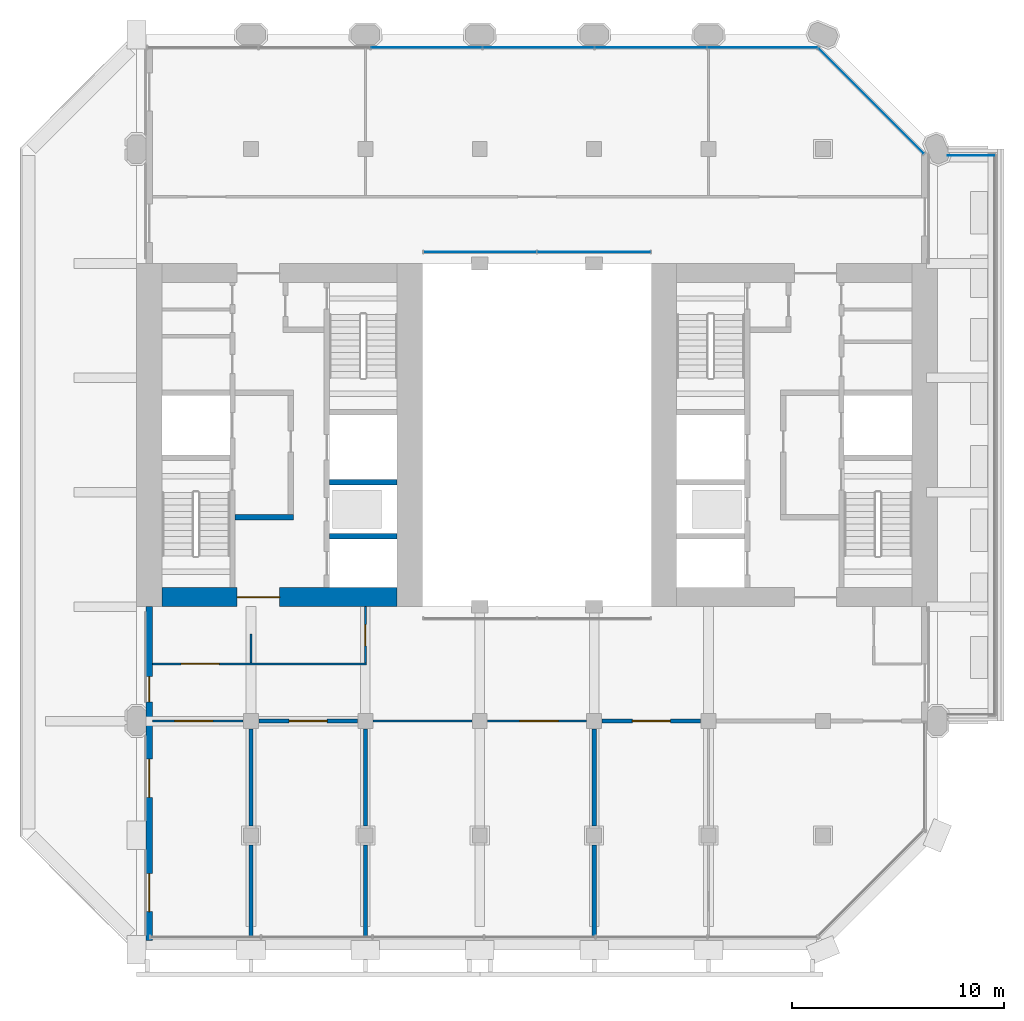
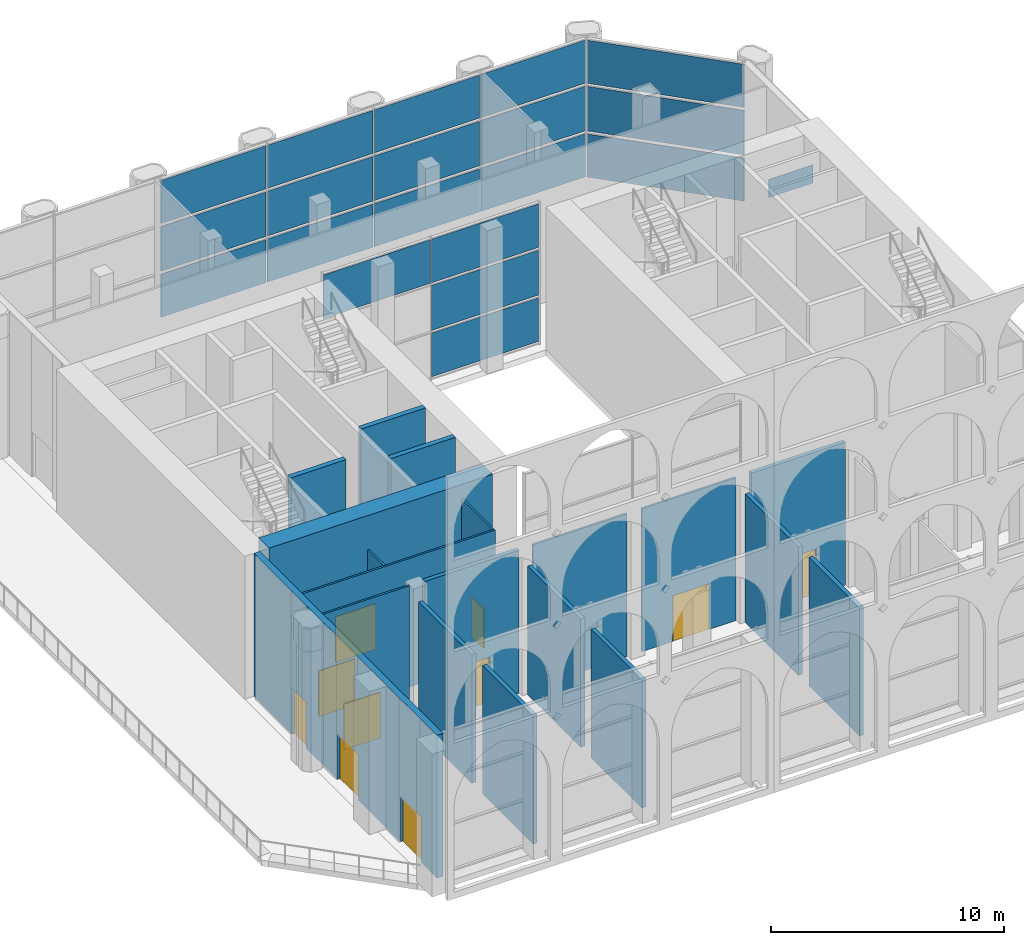
# One storey, part 9 of 20: 20 plates, 19 walls, 10 doors, 10 openings, 3 elements without a shape of their own.
"""IFC4 building model written with IfcOpenShell, lengths in metres."""

from ifc_helpers import new_model, si_unit, direction, frame, frame_2d, origin, origin_2d, place, context, subcontext, project, spatial, rectangle, extrude, material, layer, layer_set, type_object, element, fill, aggregate, save


model = new_model("IFC4")

# Units and contexts
model_context = context("Model", 3, precision=1e-05, world=origin(), true_north=direction((0.0, 1.0)))
body_context = subcontext(model_context, "Body", "Model", "MODEL_VIEW")
ifc_project = project(units=[si_unit("LENGTHUNIT", "METRE"), si_unit("AREAUNIT", "SQUARE_METRE"), si_unit("VOLUMEUNIT", "CUBIC_METRE"), si_unit("PLANEANGLEUNIT", "RADIAN"), si_unit("MASSUNIT", "GRAM", prefix="KILO")], contexts=[model_context])

# Site, building, storey
site_placement = place(None, origin())
site = spatial("IfcSite", under=ifc_project, at=site_placement, CompositionType="ELEMENT")
building_placement = place(site_placement, origin())
building = spatial("IfcBuilding", under=site, at=building_placement, Name="Tabaq Tower and Sports Hall", CompositionType="ELEMENT")
storey_placement = place(building_placement, frame((0.0, 0.0, 243.10009765625)))
storey = spatial("IfcBuildingStorey", under=building, at=storey_placement, Name="L60", CompositionType="ELEMENT", Elevation=243.10009765625)

# Curtain wall, plates
ifc_material_1 = material(Name="Aluminium alloy 6063-T6 framed glazing", Category="aluminium")
curtain_wall_type_1 = type_object("IfcCurtainWallType", Name="CW1 curtain wall", PredefinedType="USERDEFINED", material=ifc_material_1)
curtain_wall_1_placement = place(storey_placement, origin())
curtain_wall_1 = element("IfcCurtainWall", 1, at=curtain_wall_1_placement, inside=storey, type_object=curtain_wall_type_1, Name="Atrium glazing L60 N", ObjectType="ATRIUM ENCLOSURE", PredefinedType="USERDEFINED")
ifc_material_2 = material(Name="Clear low-emissivity glass 28 mm", Category="glass")
ifc_layer_1 = layer(ifc_material_2, 0.028076171875)
ifc_layer_set_1 = layer_set([ifc_layer_1], Name="CW1 glass panel 28")
plate_type_1 = type_object("IfcPlateType", Name="CW1 glass panel 28", PredefinedType="CURTAIN_PANEL", material=ifc_layer_set_1)
plate_1_placement = place(storey_placement, frame((21.614990234375, 32.949951171875, 5.06982421875), z_axis=(0.0, 0.0, 1.0), x_axis=(1.0, 0.0, 0.0)))
plate_1 = element("IfcPlate", 2, at=plate_1_placement, type_object=plate_type_1, Name="CW1 panel 1.3", PredefinedType="CURTAIN_PANEL", context=body_context, shape_type="SweptSolid", body=[
    extrude(rectangle(XDim=5.31005859375, YDim=0.028076171875, at=origin_2d()), origin(), (0.0, 0.0, 1.0), 2.2900390625),
])
plate_2_placement = place(storey_placement, frame((26.985107421875, 32.949951171875, 0.139892578125), z_axis=(0.0, 0.0, 1.0), x_axis=(1.0, 0.0, 0.0)))
plate_2 = element("IfcPlate", 3, at=plate_2_placement, type_object=plate_type_1, Name="CW1 panel 2.1", PredefinedType="CURTAIN_PANEL", context=body_context, shape_type="SweptSolid", body=[
    extrude(rectangle(XDim=5.31005859375, YDim=0.028076171875, at=origin_2d()), origin(), (0.0, 0.0, 1.0), 2.2900390625),
])
plate_3_placement = place(storey_placement, frame((26.985107421875, 32.949951171875, 2.56982421875), z_axis=(0.0, 0.0, 1.0), x_axis=(1.0, 0.0, 0.0)))
plate_3 = element("IfcPlate", 4, at=plate_3_placement, type_object=plate_type_1, Name="CW1 panel 2.2", PredefinedType="CURTAIN_PANEL", context=body_context, shape_type="SweptSolid", body=[
    extrude(rectangle(XDim=5.31005859375, YDim=0.028076171875, at=origin_2d()), origin(), (0.0, 0.0, 1.0), 2.360107421875),
])
plate_4_placement = place(storey_placement, frame((26.985107421875, 32.949951171875, 5.06982421875), z_axis=(0.0, 0.0, 1.0), x_axis=(1.0, 0.0, 0.0)))
plate_4 = element("IfcPlate", 5, at=plate_4_placement, type_object=plate_type_1, Name="CW1 panel 2.3", PredefinedType="CURTAIN_PANEL", context=body_context, shape_type="SweptSolid", body=[
    extrude(rectangle(XDim=5.31005859375, YDim=0.028076171875, at=origin_2d()), origin(), (0.0, 0.0, 1.0), 2.2900390625),
])
aggregate(curtain_wall_1, [plate_1, plate_2, plate_3, plate_4])

ifc_material_3 = material(Name="Aluminium alloy 6063-T6 framed glazing", Category="aluminium")
curtain_wall_type_2 = type_object("IfcCurtainWallType", Name="CW2 curtain wall", PredefinedType="USERDEFINED", material=ifc_material_3)
curtain_wall_2_placement = place(storey_placement, origin())
curtain_wall_2 = element("IfcCurtainWall", 6, at=curtain_wall_2_placement, inside=storey, type_object=curtain_wall_type_2, Name="Sky Lobby Wall L60 NE", ObjectType="SKY LOBBY WALL", PredefinedType="USERDEFINED")
ifc_material_4 = material(Name="Clear low-emissivity glass 28 mm", Category="glass")
ifc_layer_2 = layer(ifc_material_4, 0.031982421875)
ifc_layer_set_2 = layer_set([ifc_layer_2], Name="CW2 glass panel 32")
plate_type_2 = type_object("IfcPlateType", Name="CW2 glass panel 32", PredefinedType="CURTAIN_PANEL", material=ifc_layer_set_2)
plate_5_placement = place(storey_placement, frame((40.07568359375, 40.07568359375, 0.15966796875), z_axis=(0.0, 0.0, 1.0), x_axis=(-0.707106781187, 0.707106781187, 0.0)))
plate_5 = element("IfcPlate", 7, at=plate_5_placement, type_object=plate_type_2, Name="CW2 panel 1.1", PredefinedType="CURTAIN_PANEL", context=body_context, shape_type="SweptSolid", body=[
    extrude(rectangle(XDim=6.999755859375, YDim=0.031982421875, at=origin_2d()), origin(), (0.0, 0.0, 1.0), 2.260009765625),
])
plate_6_placement = place(storey_placement, frame((40.07568359375, 40.07568359375, 2.580078125), z_axis=(0.0, 0.0, 1.0), x_axis=(-0.707106781187, 0.707106781187, 0.0)))
plate_6 = element("IfcPlate", 8, at=plate_6_placement, type_object=plate_type_2, Name="CW2 panel 1.2", PredefinedType="CURTAIN_PANEL", context=body_context, shape_type="SweptSolid", body=[
    extrude(rectangle(XDim=6.999755859375, YDim=0.031982421875, at=origin_2d()), origin(), (0.0, 0.0, 1.0), 2.340087890625),
])
plate_7_placement = place(storey_placement, frame((40.07568359375, 40.07568359375, 5.080078125), z_axis=(0.0, 0.0, 1.0), x_axis=(-0.707106781187, 0.707106781187, 0.0)))
plate_7 = element("IfcPlate", 9, at=plate_7_placement, type_object=plate_type_2, Name="CW2 panel 1.3", PredefinedType="CURTAIN_PANEL", context=body_context, shape_type="SweptSolid", body=[
    extrude(rectangle(XDim=6.999755859375, YDim=0.031982421875, at=origin_2d()), origin(), (0.0, 0.0, 1.0), 2.260009765625),
])
aggregate(curtain_wall_2, [plate_5, plate_6, plate_7])

curtain_wall_3_placement = place(storey_placement, origin())
curtain_wall_3 = element("IfcCurtainWall", 10, at=curtain_wall_3_placement, inside=storey, type_object=curtain_wall_type_2, Name="Sky Lobby Wall L60 N", ObjectType="SKY LOBBY WALL", PredefinedType="USERDEFINED")
plate_8_placement = place(storey_placement, frame((34.94921875, 42.60009765625, 0.15966796875), z_axis=(0.0, 0.0, 1.0), x_axis=(-1.0, 0.0, 0.0)))
plate_8 = element("IfcPlate", 11, at=plate_8_placement, type_object=plate_type_2, Name="CW2 panel 1.1", PredefinedType="CURTAIN_PANEL", context=body_context, shape_type="SweptSolid", body=[
    extrude(rectangle(XDim=5.18896484375, YDim=0.031982421875, at=origin_2d()), origin(), (0.0, 0.0, 1.0), 2.260009765625),
])
plate_9_placement = place(storey_placement, frame((34.94921875, 42.60009765625, 2.580078125), z_axis=(0.0, 0.0, 1.0), x_axis=(-1.0, 0.0, 0.0)))
plate_9 = element("IfcPlate", 12, at=plate_9_placement, type_object=plate_type_2, Name="CW2 panel 1.2", PredefinedType="CURTAIN_PANEL", context=body_context, shape_type="SweptSolid", body=[
    extrude(rectangle(XDim=5.18896484375, YDim=0.031982421875, at=origin_2d()), origin(), (0.0, 0.0, 1.0), 2.340087890625),
])
plate_10_placement = place(storey_placement, frame((34.94921875, 42.60009765625, 5.080078125), z_axis=(0.0, 0.0, 1.0), x_axis=(-1.0, 0.0, 0.0)))
plate_10 = element("IfcPlate", 13, at=plate_10_placement, type_object=plate_type_2, Name="CW2 panel 1.3", PredefinedType="CURTAIN_PANEL", context=body_context, shape_type="SweptSolid", body=[
    extrude(rectangle(XDim=5.18896484375, YDim=0.031982421875, at=origin_2d()), origin(), (0.0, 0.0, 1.0), 2.260009765625),
])
plate_11_placement = place(storey_placement, frame((29.672607421875, 42.60009765625, 0.15966796875), z_axis=(0.0, 0.0, 1.0), x_axis=(-1.0, 0.0, 0.0)))
plate_11 = element("IfcPlate", 14, at=plate_11_placement, type_object=plate_type_2, Name="CW2 panel 2.1", PredefinedType="CURTAIN_PANEL", context=body_context, shape_type="SweptSolid", body=[
    extrude(rectangle(XDim=5.223876953125, YDim=0.031982421875, at=origin_2d()), origin(), (0.0, 0.0, 1.0), 2.260009765625),
])
plate_12_placement = place(storey_placement, frame((29.672607421875, 42.60009765625, 2.580078125), z_axis=(0.0, 0.0, 1.0), x_axis=(-1.0, 0.0, 0.0)))
plate_12 = element("IfcPlate", 15, at=plate_12_placement, type_object=plate_type_2, Name="CW2 panel 2.2", PredefinedType="CURTAIN_PANEL", context=body_context, shape_type="SweptSolid", body=[
    extrude(rectangle(XDim=5.223876953125, YDim=0.031982421875, at=origin_2d()), origin(), (0.0, 0.0, 1.0), 2.340087890625),
])
plate_13_placement = place(storey_placement, frame((29.672607421875, 42.60009765625, 5.080078125), z_axis=(0.0, 0.0, 1.0), x_axis=(-1.0, 0.0, 0.0)))
plate_13 = element("IfcPlate", 16, at=plate_13_placement, type_object=plate_type_2, Name="CW2 panel 2.3", PredefinedType="CURTAIN_PANEL", context=body_context, shape_type="SweptSolid", body=[
    extrude(rectangle(XDim=5.223876953125, YDim=0.031982421875, at=origin_2d()), origin(), (0.0, 0.0, 1.0), 2.260009765625),
])
plate_14_placement = place(storey_placement, frame((24.378662109375, 42.60009765625, 0.15966796875), z_axis=(0.0, 0.0, 1.0), x_axis=(-1.0, 0.0, 0.0)))
plate_14 = element("IfcPlate", 17, at=plate_14_placement, type_object=plate_type_2, Name="CW2 panel 3.1", PredefinedType="CURTAIN_PANEL", context=body_context, shape_type="SweptSolid", body=[
    extrude(rectangle(XDim=5.223876953125, YDim=0.031982421875, at=origin_2d()), origin(), (0.0, 0.0, 1.0), 2.260009765625),
])
plate_15_placement = place(storey_placement, frame((24.378662109375, 42.60009765625, 2.580078125), z_axis=(0.0, 0.0, 1.0), x_axis=(-1.0, 0.0, 0.0)))
plate_15 = element("IfcPlate", 18, at=plate_15_placement, type_object=plate_type_2, Name="CW2 panel 3.2", PredefinedType="CURTAIN_PANEL", context=body_context, shape_type="SweptSolid", body=[
    extrude(rectangle(XDim=5.223876953125, YDim=0.031982421875, at=origin_2d()), origin(), (0.0, 0.0, 1.0), 2.340087890625),
])
plate_16_placement = place(storey_placement, frame((24.378662109375, 42.60009765625, 5.080078125), z_axis=(0.0, 0.0, 1.0), x_axis=(-1.0, 0.0, 0.0)))
plate_16 = element("IfcPlate", 19, at=plate_16_placement, type_object=plate_type_2, Name="CW2 panel 3.3", PredefinedType="CURTAIN_PANEL", context=body_context, shape_type="SweptSolid", body=[
    extrude(rectangle(XDim=5.223876953125, YDim=0.031982421875, at=origin_2d()), origin(), (0.0, 0.0, 1.0), 2.260009765625),
])
plate_17_placement = place(storey_placement, frame((19.084716796875, 42.60009765625, 0.15966796875), z_axis=(0.0, 0.0, 1.0), x_axis=(-1.0, 0.0, 0.0)))
plate_17 = element("IfcPlate", 20, at=plate_17_placement, type_object=plate_type_2, Name="CW2 panel 4.1", PredefinedType="CURTAIN_PANEL", context=body_context, shape_type="SweptSolid", body=[
    extrude(rectangle(XDim=5.223876953125, YDim=0.031982421875, at=origin_2d()), origin(), (0.0, 0.0, 1.0), 2.260009765625),
])
plate_18_placement = place(storey_placement, frame((19.084716796875, 42.60009765625, 2.580078125), z_axis=(0.0, 0.0, 1.0), x_axis=(-1.0, 0.0, 0.0)))
plate_18 = element("IfcPlate", 21, at=plate_18_placement, type_object=plate_type_2, Name="CW2 panel 4.2", PredefinedType="CURTAIN_PANEL", context=body_context, shape_type="SweptSolid", body=[
    extrude(rectangle(XDim=5.223876953125, YDim=0.031982421875, at=origin_2d()), origin(), (0.0, 0.0, 1.0), 2.340087890625),
])
plate_19_placement = place(storey_placement, frame((19.084716796875, 42.60009765625, 5.080078125), z_axis=(0.0, 0.0, 1.0), x_axis=(-1.0, 0.0, 0.0)))
plate_19 = element("IfcPlate", 22, at=plate_19_placement, type_object=plate_type_2, Name="CW2 panel 4.3", PredefinedType="CURTAIN_PANEL", context=body_context, shape_type="SweptSolid", body=[
    extrude(rectangle(XDim=5.223876953125, YDim=0.031982421875, at=origin_2d()), origin(), (0.0, 0.0, 1.0), 2.260009765625),
])
aggregate(curtain_wall_3, [plate_8, plate_9, plate_10, plate_11, plate_12, plate_13, plate_14, plate_15, plate_16, plate_17, plate_18, plate_19])

# Plate
ifc_material_5 = material(Name="Clear low-emissivity glass 28 mm", Category="glass")
ifc_layer_3 = layer(ifc_material_5, 0.02001953125)
ifc_layer_set_3 = layer_set([ifc_layer_3], Name="Laminated glass tray guard panel 20")
plate_type_3 = type_object("IfcPlateType", Name="Laminated glass tray guard panel 20", PredefinedType="USERDEFINED", material=ifc_layer_set_3)
plate_20_placement = place(storey_placement, frame((45.89990234375, 37.5, 0.0), z_axis=(0.0, 0.0, 1.0), x_axis=(-1.0, 0.0, 0.0)))
element("IfcPlate", 23, at=plate_20_placement, inside=storey, type_object=plate_type_3, Name="Tray guard glass L60", ObjectType="GUARD GLASS", PredefinedType="USERDEFINED", context=body_context, shape_type="SweptSolid", body=[
    extrude(rectangle(XDim=2.199951171875, YDim=0.02001953125, at=frame_2d((1.10009765625, 0.0))), origin(), (0.0, 0.0, 1.0), 0.949951171875),
])

# Wall, opening, door
ifc_material_6 = material(Name="Concrete C40/50", Category="concrete")
ifc_layer_4 = layer(ifc_material_6, 0.89990234375)
ifc_layer_set_4 = layer_set([ifc_layer_4], Name="Core wall 900 Concrete C40/50")
wall_type_1 = type_object("IfcWallType", Name="Core wall 900 Concrete C40/50", PredefinedType="SOLIDWALL", material=ifc_layer_set_4)
wall_1_placement = place(storey_placement, frame((17.699951171875, 16.64990234375, 0.0), z_axis=(0.0, 0.0, 1.0), x_axis=(-1.0, 0.0, 0.0)))
wall_1 = element("IfcWall", 24, at=wall_1_placement, inside=storey, type_object=wall_type_1, Name="Core wall W L60", PredefinedType="SOLIDWALL", context=body_context, shape_type="SweptSolid", body=[
    extrude(rectangle(XDim=11.099853515625, YDim=0.89990234375, at=frame_2d((5.5498046875, 0.0))), origin(), (0.0, 0.0, 1.0), 7.5),
])
opening_1_placement = place(wall_1_placement, frame((5.550048828125, 0.0, 0.0)))
opening_1 = element("IfcOpeningElement", 25, at=opening_1_placement, cuts=wall_1, Name="Opening PD-WL60-01", PredefinedType="OPENING", context=body_context, shape_type="SweptSolid", body=[
    extrude(rectangle(XDim=2.0, YDim=2.39990234375, at=frame_2d((1.0, 1.199951171875))), frame((0.0, 0.449951171875, 0.0), z_axis=(0.0, -1.0, 0.0), x_axis=(1.0, 0.0, 0.0)), (0.0, 0.0, 1.0), 0.89990234375),
])
ifc_material_7 = material(Name="Steel fire door", Category="steel")
door_type_1 = type_object("IfcDoorType", Name="Core entrance door 2000", OperationType="DOUBLE_DOOR_SINGLE_SWING", PredefinedType="DOOR", material=ifc_material_7)
door_1_placement = place(opening_1_placement, origin())
door_1 = element("IfcDoor", 26, at=door_1_placement, inside=storey, type_object=door_type_1, Name="Core entrance south W L60", OperationType="DOUBLE_DOOR_SINGLE_SWING", OverallHeight=2.39990234375, OverallWidth=2.0, PredefinedType="DOOR", context=body_context, shape_type="SweptSolid", body=[
    extrude(rectangle(XDim=2.0, YDim=2.39990234375, at=frame_2d((1.0, 1.199951171875))), frame((0.0, 0.02490234375, 0.0), z_axis=(0.0, -1.0, 0.0), x_axis=(1.0, 0.0, 0.0)), (0.0, 0.0, 1.0), 0.050048828125),
])
fill(opening_1, door_1)

ifc_material_8 = material(Name="Blockwork", Category="masonry")
ifc_layer_5 = layer(ifc_material_8, 0.199951171875)
ifc_layer_set_5 = layer_set([ifc_layer_5], Name="Fire compartment wall 200 Blockwork")
wall_type_2 = type_object("IfcWallType", Name="Fire compartment wall 200 Blockwork", PredefinedType="PARTITIONING", material=ifc_layer_set_5)
wall_2_placement = place(storey_placement, frame((32.030029296875, 10.800048828125, 0.0), z_axis=(0.0, 0.0, 1.0), x_axis=(-1.0, 0.0, 0.0)))
wall_2 = element("IfcWall", 27, at=wall_2_placement, inside=storey, type_object=wall_type_2, Name="Compartment wall L60", PredefinedType="PARTITIONING", context=body_context, shape_type="SweptSolid", body=[
    extrude(rectangle(XDim=4.659912109375, YDim=0.199951171875, at=frame_2d((2.330078125, 0.0))), origin(), (0.0, 0.0, 1.0), 7.5),
])
opening_2_placement = place(wall_2_placement, frame((1.429931640625, 0.0, 0.0)))
opening_2 = element("IfcOpeningElement", 28, at=opening_2_placement, cuts=wall_2, Name="Opening L60-011", PredefinedType="OPENING", context=body_context, shape_type="SweptSolid", body=[
    extrude(rectangle(XDim=1.800048828125, YDim=2.39990234375, at=frame_2d((0.89990234375, 1.199951171875))), frame((0.0, 0.10009765625, 0.0), z_axis=(0.0, -1.0, 0.0), x_axis=(1.0, 0.0, 0.0)), (0.0, 0.0, 1.0), 0.199951171875),
])
ifc_material_9 = material(Name="Timber leaf in steel frame", Category="steel")
door_type_2 = type_object("IfcDoorType", Name="Internal door 1800", OperationType="DOUBLE_DOOR_SINGLE_SWING", PredefinedType="DOOR", material=ifc_material_9)
door_2_placement = place(opening_2_placement, origin())
door_2 = element("IfcDoor", 29, at=door_2_placement, inside=storey, type_object=door_type_2, Name="Internal door L60-011", OperationType="DOUBLE_DOOR_SINGLE_SWING", OverallHeight=2.39990234375, OverallWidth=1.800048828125, PredefinedType="DOOR", context=body_context, shape_type="SweptSolid", body=[
    extrude(rectangle(XDim=1.800048828125, YDim=2.39990234375, at=frame_2d((0.89990234375, 1.199951171875))), frame((0.0, 0.02490234375, 0.0), z_axis=(0.0, -1.0, 0.0), x_axis=(1.0, 0.0, 0.0)), (0.0, 0.0, 1.0), 0.050048828125),
])
fill(opening_2, door_2)

# Walls
wall_3_placement = place(storey_placement, frame((27.0, 10.429931640625, 0.0), z_axis=(0.0, 0.0, 1.0), x_axis=(0.0, -1.0, 0.0)))
element("IfcWall", 30, at=wall_3_placement, inside=storey, type_object=wall_type_2, Name="Compartment wall L60", PredefinedType="PARTITIONING", context=body_context, shape_type="SweptSolid", body=[
    extrude(rectangle(XDim=4.579345703125, YDim=0.199951171875, at=frame_2d((2.28955078125, 0.0))), origin(), (0.0, 0.0, 1.0), 6.75),
])
wall_4_placement = place(storey_placement, frame((27.0, 4.94921875, 0.0), z_axis=(0.0, 0.0, 1.0), x_axis=(0.0, -1.0, 0.0)))
element("IfcWall", 31, at=wall_4_placement, inside=storey, type_object=wall_type_2, Name="Compartment wall L60", PredefinedType="PARTITIONING", context=body_context, shape_type="SweptSolid", body=[
    extrude(rectangle(XDim=4.34912109375, YDim=0.199951171875, at=frame_2d((2.174560546875, 0.0))), origin(), (0.0, 0.0, 1.0), 6.75),
])
wall_5_placement = place(storey_placement, frame((16.199951171875, 10.429931640625, 0.0), z_axis=(0.0, 0.0, 1.0), x_axis=(0.0, -1.0, 0.0)))
element("IfcWall", 32, at=wall_5_placement, inside=storey, type_object=wall_type_2, Name="Compartment wall L60", PredefinedType="PARTITIONING", context=body_context, shape_type="SweptSolid", body=[
    extrude(rectangle(XDim=4.579345703125, YDim=0.199951171875, at=frame_2d((2.28955078125, 0.0))), origin(), (0.0, 0.0, 1.0), 6.75),
])
wall_6_placement = place(storey_placement, frame((16.199951171875, 4.94921875, 0.0), z_axis=(0.0, 0.0, 1.0), x_axis=(0.0, -1.0, 0.0)))
element("IfcWall", 33, at=wall_6_placement, inside=storey, type_object=wall_type_2, Name="Compartment wall L60", PredefinedType="PARTITIONING", context=body_context, shape_type="SweptSolid", body=[
    extrude(rectangle(XDim=4.34912109375, YDim=0.199951171875, at=frame_2d((2.174560546875, 0.0))), origin(), (0.0, 0.0, 1.0), 6.75),
])

# Wall, opening, door
wall_7_placement = place(storey_placement, frame((15.830078125, 10.800048828125, 0.0), z_axis=(0.0, 0.0, 1.0), x_axis=(-1.0, 0.0, 0.0)))
wall_7 = element("IfcWall", 34, at=wall_7_placement, inside=storey, type_object=wall_type_2, Name="Compartment wall L60", PredefinedType="PARTITIONING", context=body_context, shape_type="SweptSolid", body=[
    extrude(rectangle(XDim=4.66015625, YDim=0.199951171875, at=frame_2d((2.330078125, 0.0))), origin(), (0.0, 0.0, 1.0), 7.5),
])
opening_3_placement = place(wall_7_placement, frame((1.429931640625, 0.0, 0.0)))
opening_3 = element("IfcOpeningElement", 35, at=opening_3_placement, cuts=wall_7, Name="Opening L60-005", PredefinedType="OPENING", context=body_context, shape_type="SweptSolid", body=[
    extrude(rectangle(XDim=1.800048828125, YDim=2.39990234375, at=frame_2d((0.89990234375, 1.199951171875))), frame((0.0, 0.10009765625, 0.0), z_axis=(0.0, -1.0, 0.0), x_axis=(1.0, 0.0, 0.0)), (0.0, 0.0, 1.0), 0.199951171875),
])
door_3_placement = place(opening_3_placement, origin())
door_3 = element("IfcDoor", 36, at=door_3_placement, inside=storey, type_object=door_type_2, Name="Internal door L60-005", OperationType="DOUBLE_DOOR_SINGLE_SWING", OverallHeight=2.39990234375, OverallWidth=1.800048828125, PredefinedType="DOOR", context=body_context, shape_type="SweptSolid", body=[
    extrude(rectangle(XDim=1.800048828125, YDim=2.39990234375, at=frame_2d((0.89990234375, 1.199951171875))), frame((0.0, 0.02490234375, 0.0), z_axis=(0.0, -1.0, 0.0), x_axis=(1.0, 0.0, 0.0)), (0.0, 0.0, 1.0), 0.050048828125),
])
fill(opening_3, door_3)

# Walls
wall_8_placement = place(storey_placement, frame((10.800048828125, 10.429931640625, 0.0), z_axis=(0.0, 0.0, 1.0), x_axis=(0.0, -1.0, 0.0)))
element("IfcWall", 37, at=wall_8_placement, inside=storey, type_object=wall_type_2, Name="Compartment wall L60", PredefinedType="PARTITIONING", context=body_context, shape_type="SweptSolid", body=[
    extrude(rectangle(XDim=4.579345703125, YDim=0.199951171875, at=frame_2d((2.28955078125, 0.0))), origin(), (0.0, 0.0, 1.0), 6.75),
])
wall_9_placement = place(storey_placement, frame((10.800048828125, 4.94921875, 0.0), z_axis=(0.0, 0.0, 1.0), x_axis=(0.0, -1.0, 0.0)))
element("IfcWall", 38, at=wall_9_placement, inside=storey, type_object=wall_type_2, Name="Compartment wall L60", PredefinedType="PARTITIONING", context=body_context, shape_type="SweptSolid", body=[
    extrude(rectangle(XDim=4.34912109375, YDim=0.199951171875, at=frame_2d((2.174560546875, 0.0))), origin(), (0.0, 0.0, 1.0), 6.75),
])

# Wall, opening, door
ifc_material_10 = material(Name="Gypsum board on steel studs", Category="steel")
ifc_layer_6 = layer(ifc_material_10, 0.10009765625)
ifc_layer_set_6 = layer_set([ifc_layer_6], Name="Partition 100 Gypsum board")
wall_type_3 = type_object("IfcWallType", Name="Partition 100 Gypsum board", PredefinedType="PARTITIONING", material=ifc_layer_set_6)
wall_10_placement = place(storey_placement, frame((26.6298828125, 10.800048828125, 0.0), z_axis=(0.0, 0.0, 1.0), x_axis=(-1.0, 0.0, 0.0)))
wall_10 = element("IfcWall", 39, at=wall_10_placement, inside=storey, type_object=wall_type_3, Name="Partition wall L60", PredefinedType="PARTITIONING", context=body_context, shape_type="SweptSolid", body=[
    extrude(rectangle(XDim=4.659912109375, YDim=0.10009765625, at=frame_2d((2.330078125, 0.0))), origin(), (0.0, 0.0, 1.0), 7.5),
])
opening_4_placement = place(wall_10_placement, frame((1.330078125, 0.0, 0.0)))
opening_4 = element("IfcOpeningElement", 40, at=opening_4_placement, cuts=wall_10, Name="Opening L60-004", PredefinedType="OPENING", context=body_context, shape_type="SweptSolid", body=[
    extrude(rectangle(XDim=1.800048828125, YDim=2.39990234375, at=frame_2d((0.89990234375, 1.199951171875))), frame((0.0, 0.050048828125, 0.0), z_axis=(0.0, -1.0, 0.0), x_axis=(1.0, 0.0, 0.0)), (0.0, 0.0, 1.0), 0.10009765625),
])
door_4_placement = place(opening_4_placement, origin())
door_4 = element("IfcDoor", 41, at=door_4_placement, inside=storey, type_object=door_type_2, Name="Internal door L60-004", OperationType="DOUBLE_DOOR_SINGLE_SWING", OverallHeight=2.39990234375, OverallWidth=1.800048828125, PredefinedType="DOOR", context=body_context, shape_type="SweptSolid", body=[
    extrude(rectangle(XDim=1.800048828125, YDim=2.39990234375, at=frame_2d((0.89990234375, 1.199951171875))), frame((0.0, 0.02490234375, 0.0), z_axis=(0.0, -1.0, 0.0), x_axis=(1.0, 0.0, 0.0)), (0.0, 0.0, 1.0), 0.050048828125),
])
fill(opening_4, door_4)

# Wall
wall_11_placement = place(storey_placement, frame((21.22998046875, 10.800048828125, 0.0), z_axis=(0.0, 0.0, 1.0), x_axis=(-1.0, 0.0, 0.0)))
element("IfcWall", 42, at=wall_11_placement, inside=storey, type_object=wall_type_3, Name="Partition wall L60", PredefinedType="PARTITIONING", context=body_context, shape_type="SweptSolid", body=[
    extrude(rectangle(XDim=4.659912109375, YDim=0.10009765625, at=frame_2d((2.330078125, 0.0))), origin(), (0.0, 0.0, 1.0), 7.5),
])

# Wall, opening, door
wall_12_placement = place(storey_placement, frame((10.429931640625, 10.800048828125, 0.0), z_axis=(0.0, 0.0, 1.0), x_axis=(-1.0, 0.0, 0.0)))
wall_12 = element("IfcWall", 43, at=wall_12_placement, inside=storey, type_object=wall_type_3, Name="Partition wall L60", PredefinedType="PARTITIONING", context=body_context, shape_type="SweptSolid", body=[
    extrude(rectangle(XDim=4.279052734375, YDim=0.10009765625, at=frame_2d((2.1396484375, 0.0))), origin(), (0.0, 0.0, 1.0), 7.5),
])
opening_5_placement = place(wall_12_placement, frame((1.429931640625, 0.0, 0.0)))
opening_5 = element("IfcOpeningElement", 44, at=opening_5_placement, cuts=wall_12, Name="Opening L60-012", PredefinedType="OPENING", context=body_context, shape_type="SweptSolid", body=[
    extrude(rectangle(XDim=1.800048828125, YDim=2.39990234375, at=frame_2d((0.89990234375, 1.199951171875))), frame((0.0, 0.050048828125, 0.0), z_axis=(0.0, -1.0, 0.0), x_axis=(1.0, 0.0, 0.0)), (0.0, 0.0, 1.0), 0.10009765625),
])
door_5_placement = place(opening_5_placement, origin())
door_5 = element("IfcDoor", 45, at=door_5_placement, inside=storey, type_object=door_type_2, Name="Internal door L60-012", OperationType="DOUBLE_DOOR_SINGLE_SWING", OverallHeight=2.39990234375, OverallWidth=1.800048828125, PredefinedType="DOOR", context=body_context, shape_type="SweptSolid", body=[
    extrude(rectangle(XDim=1.800048828125, YDim=2.39990234375, at=frame_2d((0.89990234375, 1.199951171875))), frame((0.0, 0.02490234375, 0.0), z_axis=(0.0, -1.0, 0.0), x_axis=(1.0, 0.0, 0.0)), (0.0, 0.0, 1.0), 0.050048828125),
])
fill(opening_5, door_5)

# Wall
wall_13_placement = place(storey_placement, frame((10.800048828125, 13.550048828125, 0.0), z_axis=(0.0, 0.0, 1.0), x_axis=(0.0, 1.0, 0.0)))
element("IfcWall", 46, at=wall_13_placement, inside=storey, type_object=wall_type_3, Name="Partition wall L60", PredefinedType="PARTITIONING", context=body_context, shape_type="SweptSolid", body=[
    extrude(rectangle(XDim=1.349853515625, YDim=0.10009765625, at=frame_2d((0.6748046875, 0.0))), origin(), (0.0, 0.0, 1.0), 6.75),
])

# Wall, opening, door
wall_14_placement = place(storey_placement, frame((6.15087890625, 13.5, 0.0), z_axis=(0.0, 0.0, 1.0), x_axis=(1.0, 0.0, 0.0)))
wall_14 = element("IfcWall", 47, at=wall_14_placement, inside=storey, type_object=wall_type_3, Name="Partition wall L60", PredefinedType="PARTITIONING", context=body_context, shape_type="SweptSolid", body=[
    extrude(rectangle(XDim=10.09912109375, YDim=0.10009765625, at=frame_2d((5.049560546875, 0.0))), origin(), (0.0, 0.0, 1.0), 6.75),
])
opening_6_placement = place(wall_14_placement, frame((1.34912109375, 0.0, 0.0)))
opening_6 = element("IfcOpeningElement", 48, at=opening_6_placement, cuts=wall_14, Name="Opening L60-006", PredefinedType="OPENING", context=body_context, shape_type="SweptSolid", body=[
    extrude(rectangle(XDim=1.800048828125, YDim=2.39990234375, at=frame_2d((0.89990234375, 1.199951171875))), frame((0.0, 0.050048828125, 0.0), z_axis=(0.0, -1.0, 0.0), x_axis=(1.0, 0.0, 0.0)), (0.0, 0.0, 1.0), 0.10009765625),
])
door_6_placement = place(opening_6_placement, origin())
door_6 = element("IfcDoor", 49, at=door_6_placement, inside=storey, type_object=door_type_2, Name="Internal door L60-006", OperationType="DOUBLE_DOOR_SINGLE_SWING", OverallHeight=2.39990234375, OverallWidth=1.800048828125, PredefinedType="DOOR", context=body_context, shape_type="SweptSolid", body=[
    extrude(rectangle(XDim=1.800048828125, YDim=2.39990234375, at=frame_2d((0.89990234375, 1.199951171875))), frame((0.0, 0.02490234375, 0.0), z_axis=(0.0, -1.0, 0.0), x_axis=(1.0, 0.0, 0.0)), (0.0, 0.0, 1.0), 0.050048828125),
])
fill(opening_6, door_6)

wall_15_placement = place(storey_placement, frame((16.199951171875, 13.550048828125, 0.0), z_axis=(0.0, 0.0, 1.0), x_axis=(0.0, 1.0, 0.0)))
wall_15 = element("IfcWall", 50, at=wall_15_placement, inside=storey, type_object=wall_type_3, Name="Partition wall L60", PredefinedType="PARTITIONING", context=body_context, shape_type="SweptSolid", body=[
    extrude(rectangle(XDim=2.64990234375, YDim=0.10009765625, at=frame_2d((1.324951171875, 0.0))), origin(), (0.0, 0.0, 1.0), 6.75),
])
opening_7_placement = place(wall_15_placement, frame((0.800048828125, 0.0, 0.0)))
opening_7 = element("IfcOpeningElement", 51, at=opening_7_placement, cuts=wall_15, Name="Opening L60-007", PredefinedType="OPENING", context=body_context, shape_type="SweptSolid", body=[
    extrude(rectangle(XDim=1.0, YDim=2.10009765625, at=frame_2d((0.5, 1.050048828125))), frame((0.0, 0.050048828125, 0.0), z_axis=(0.0, -1.0, 0.0), x_axis=(1.0, 0.0, 0.0)), (0.0, 0.0, 1.0), 0.10009765625),
])
ifc_material_11 = material(Name="Timber leaf in steel frame", Category="steel")
door_type_3 = type_object("IfcDoorType", Name="Internal door 1000 right hand", OperationType="SINGLE_SWING_RIGHT", PredefinedType="DOOR", material=ifc_material_11)
door_7_placement = place(opening_7_placement, origin())
door_7 = element("IfcDoor", 52, at=door_7_placement, inside=storey, type_object=door_type_3, Name="Internal door L60-007", OperationType="SINGLE_SWING_RIGHT", OverallHeight=2.10009765625, OverallWidth=1.0, PredefinedType="DOOR", context=body_context, shape_type="SweptSolid", body=[
    extrude(rectangle(XDim=1.0, YDim=2.10009765625, at=frame_2d((0.5, 1.050048828125))), frame((0.0, 0.02490234375, 0.0), z_axis=(0.0, -1.0, 0.0), x_axis=(1.0, 0.0, 0.0)), (0.0, 0.0, 1.0), 0.050048828125),
])
fill(opening_7, door_7)

# Walls
ifc_material_12 = material(Name="Concrete C40/50", Category="concrete")
ifc_layer_7 = layer(ifc_material_12, 0.25)
ifc_layer_set_7 = layer_set([ifc_layer_7], Name="Shaft and stair wall 250 Concrete C40/50")
wall_type_4 = type_object("IfcWallType", Name="Shaft and stair wall 250 Concrete C40/50", PredefinedType="SOLIDWALL", material=ifc_layer_set_7)
wall_16_placement = place(storey_placement, frame((14.5, 22.074951171875, 0.0), z_axis=(0.0, 0.0, 1.0), x_axis=(1.0, 0.0, 0.0)))
element("IfcWall", 53, at=wall_16_placement, inside=storey, type_object=wall_type_4, Name="Shaft wall W L60", PredefinedType="SOLIDWALL", context=body_context, shape_type="SweptSolid", body=[
    extrude(rectangle(XDim=3.199951171875, YDim=0.25, at=frame_2d((1.60009765625, 0.0))), origin(), (0.0, 0.0, 1.0), 7.5),
])
wall_17_placement = place(storey_placement, frame((10.050048828125, 20.425048828125, 0.0), z_axis=(0.0, 0.0, 1.0), x_axis=(1.0, 0.0, 0.0)))
element("IfcWall", 54, at=wall_17_placement, inside=storey, type_object=wall_type_4, Name="Fire-fighting lobby wall W L60", PredefinedType="SOLIDWALL", context=body_context, shape_type="SweptSolid", body=[
    extrude(rectangle(XDim=2.75, YDim=0.25, at=frame_2d((1.375, 0.0))), origin(), (0.0, 0.0, 1.0), 7.5),
])
wall_18_placement = place(storey_placement, frame((14.5, 19.52490234375, 0.0), z_axis=(0.0, 0.0, 1.0), x_axis=(1.0, 0.0, 0.0)))
element("IfcWall", 55, at=wall_18_placement, inside=storey, type_object=wall_type_4, Name="Shaft wall W L60", PredefinedType="SOLIDWALL", context=body_context, shape_type="SweptSolid", body=[
    extrude(rectangle(XDim=3.199951171875, YDim=0.25, at=frame_2d((1.60009765625, 0.0))), origin(), (0.0, 0.0, 1.0), 7.5),
])

# Wall, openings, doors
ifc_material_13 = material(Name="White precast concrete C60/75", Category="concrete")
ifc_layer_8 = layer(ifc_material_13, 0.300048828125)
ifc_layer_set_8 = layer_set([ifc_layer_8], Name="White precast concrete C60/75 external wall 300")
wall_type_5 = type_object("IfcWallType", Name="White precast concrete C60/75 external wall 300", PredefinedType="SOLIDWALL", material=ifc_layer_set_8)
wall_19_placement = place(storey_placement, frame((6.0, 16.199951171875, 0.0), z_axis=(0.0, 0.0, 1.0), x_axis=(0.0, -1.0, 0.0)))
wall_19 = element("IfcWall", 56, at=wall_19_placement, inside=storey, type_object=wall_type_5, Name="External Wall L60 W", PredefinedType="SOLIDWALL", context=body_context, shape_type="SweptSolid", body=[
    extrude(rectangle(XDim=15.75, YDim=0.300048828125, at=frame_2d((7.875, 0.0))), origin(), (0.0, 0.0, 1.0), 7.5),
])
opening_8_placement = place(wall_19_placement, frame((3.300048828125, 0.0, 0.0)))
opening_8 = element("IfcOpeningElement", 57, at=opening_8_placement, cuts=wall_19, Name="Opening TD6005", PredefinedType="OPENING", context=body_context, shape_type="SweptSolid", body=[
    extrude(rectangle(XDim=1.199951171875, YDim=2.39990234375, at=frame_2d((0.60009765625, 1.199951171875))), frame((0.0, 0.16015625, 0.0), z_axis=(0.0, -1.0, 0.0), x_axis=(1.0, 0.0, 0.0)), (0.0, 0.0, 1.0), 0.320068359375),
])
opening_9_placement = place(wall_19_placement, frame((7.199951171875, 0.0, 0.0)))
opening_9 = element("IfcOpeningElement", 58, at=opening_9_placement, cuts=wall_19, Name="Opening TD6006", PredefinedType="OPENING", context=body_context, shape_type="SweptSolid", body=[
    extrude(rectangle(XDim=1.800048828125, YDim=2.39990234375, at=frame_2d((0.89990234375, 1.199951171875))), frame((0.0, 0.16015625, 0.0), z_axis=(0.0, -1.0, 0.0), x_axis=(1.0, 0.0, 0.0)), (0.0, 0.0, 1.0), 0.320068359375),
])
opening_10_placement = place(wall_19_placement, frame((12.60009765625, 0.0, 0.0)))
opening_10 = element("IfcOpeningElement", 59, at=opening_10_placement, cuts=wall_19, Name="Opening TD6007", PredefinedType="OPENING", context=body_context, shape_type="SweptSolid", body=[
    extrude(rectangle(XDim=1.800048828125, YDim=2.39990234375, at=frame_2d((0.89990234375, 1.199951171875))), frame((0.0, 0.16015625, 0.0), z_axis=(0.0, -1.0, 0.0), x_axis=(1.0, 0.0, 0.0)), (0.0, 0.0, 1.0), 0.320068359375),
])
ifc_material_14 = material(Name="Aluminium framed clear glazing", Category="aluminium")
door_type_4 = type_object("IfcDoorType", Name="Terrace door TD1", OperationType="DOUBLE_DOOR_DOUBLE_SWING", PredefinedType="DOOR", material=ifc_material_14)
door_8_placement = place(opening_9_placement, origin())
door_8 = element("IfcDoor", 60, at=door_8_placement, inside=storey, type_object=door_type_4, Name="Terrace door TD6006", OperationType="DOUBLE_DOOR_DOUBLE_SWING", OverallHeight=2.39990234375, OverallWidth=1.800048828125, PredefinedType="DOOR", context=body_context, shape_type="SweptSolid", body=[
    extrude(rectangle(XDim=1.800048828125, YDim=2.39990234375, at=frame_2d((0.89990234375, 1.199951171875))), frame((0.0, 0.02490234375, 0.0), z_axis=(0.0, -1.0, 0.0), x_axis=(1.0, 0.0, 0.0)), (0.0, 0.0, 1.0), 0.050048828125),
])
fill(opening_9, door_8)
door_9_placement = place(opening_10_placement, origin())
door_9 = element("IfcDoor", 61, at=door_9_placement, inside=storey, type_object=door_type_4, Name="Terrace door TD6007", OperationType="DOUBLE_DOOR_DOUBLE_SWING", OverallHeight=2.39990234375, OverallWidth=1.800048828125, PredefinedType="DOOR", context=body_context, shape_type="SweptSolid", body=[
    extrude(rectangle(XDim=1.800048828125, YDim=2.39990234375, at=frame_2d((0.89990234375, 1.199951171875))), frame((0.0, 0.02490234375, 0.0), z_axis=(0.0, -1.0, 0.0), x_axis=(1.0, 0.0, 0.0)), (0.0, 0.0, 1.0), 0.050048828125),
])
fill(opening_10, door_9)
ifc_material_15 = material(Name="Aluminium framed clear glazing", Category="aluminium")
door_type_5 = type_object("IfcDoorType", Name="Terrace door TD2", OperationType="SINGLE_SWING_LEFT", PredefinedType="DOOR", material=ifc_material_15)
door_10_placement = place(opening_8_placement, origin())
door_10 = element("IfcDoor", 62, at=door_10_placement, inside=storey, type_object=door_type_5, Name="Terrace door TD6005", OperationType="SINGLE_SWING_LEFT", OverallHeight=2.39990234375, OverallWidth=1.199951171875, PredefinedType="DOOR", context=body_context, shape_type="SweptSolid", body=[
    extrude(rectangle(XDim=1.199951171875, YDim=2.39990234375, at=frame_2d((0.60009765625, 1.199951171875))), frame((0.0, 0.02490234375, 0.0), z_axis=(0.0, -1.0, 0.0), x_axis=(1.0, 0.0, 0.0)), (0.0, 0.0, 1.0), 0.050048828125),
])
fill(opening_8, door_10)

save(model, "model.ifc")
